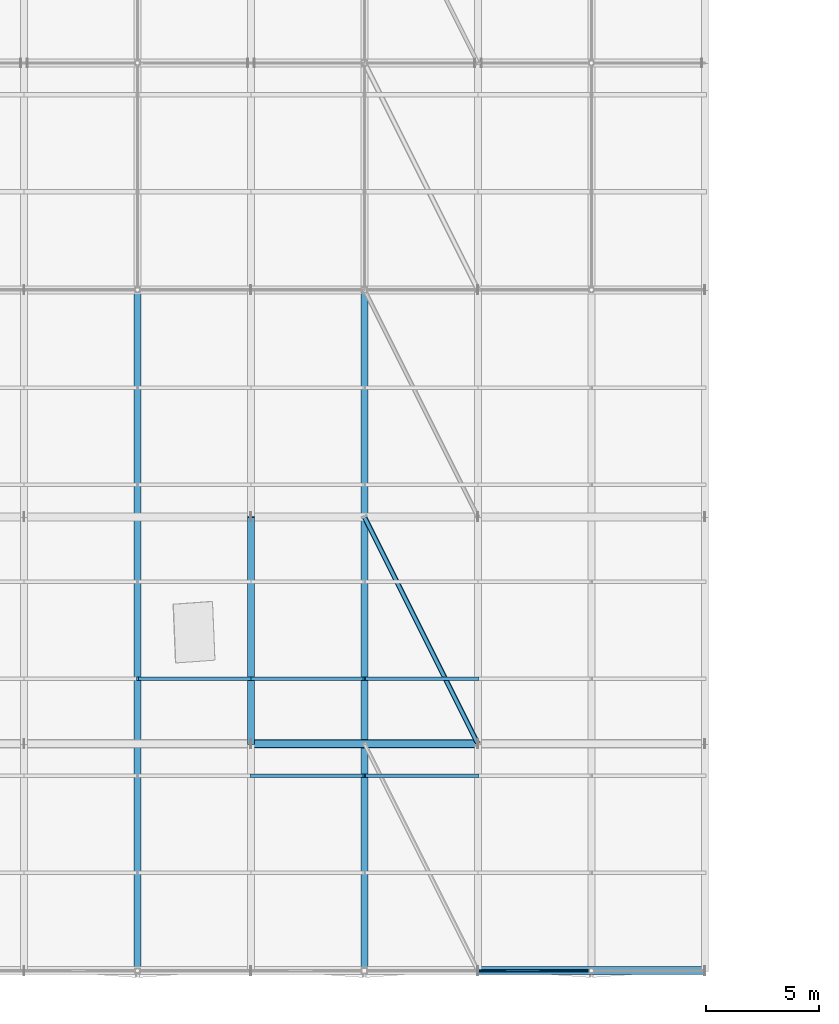
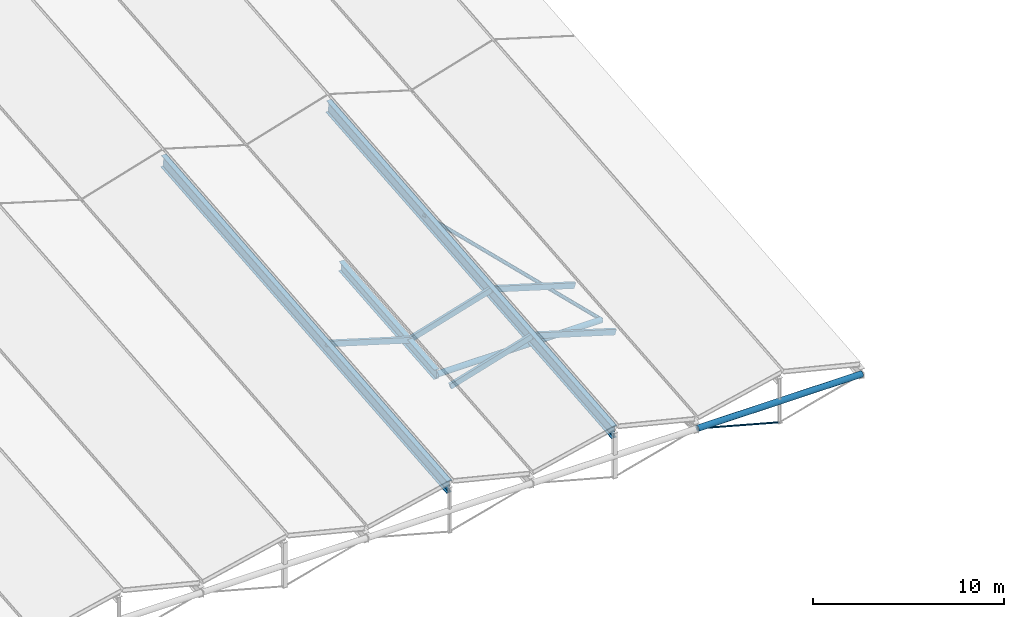
# One storey, part 19 of 90: 7 members, 5 beams.
"""IFC4 building model written with IfcOpenShell, lengths in metres."""

from ifc_helpers import new_model, si_unit, direction, frame, origin, origin_2d, place, context, subcontext, project, spatial, rectangle, circle, hollow_circle, i_section, extrude, material, material_profile, profile_set, type_object, element, save


model = new_model("IFC4")

# Units and contexts
model_context = context("Model", 3, precision=1e-05, world=origin(), true_north=direction((0.0, 1.0)))
body_context = subcontext(model_context, "Body", "Model", "MODEL_VIEW")
ifc_project = project(units=[si_unit("LENGTHUNIT", "METRE"), si_unit("AREAUNIT", "SQUARE_METRE"), si_unit("VOLUMEUNIT", "CUBIC_METRE"), si_unit("PLANEANGLEUNIT", "RADIAN"), si_unit("MASSUNIT", "GRAM", prefix="KILO"), si_unit("THERMODYNAMICTEMPERATUREUNIT", "KELVIN"), si_unit("POWERUNIT", "WATT")], contexts=[model_context])

# Site, building, storey
site_placement = place(None, origin())
site = spatial("IfcSite", under=ifc_project, at=site_placement, CompositionType="ELEMENT")
building_placement = place(site_placement, origin())
building = spatial("IfcBuilding", under=site, at=building_placement, Name="Korenveer Ferry Terminal", CompositionType="ELEMENT")
storey_placement = place(building_placement, frame((0.0, 0.0, 22.199951171875)))
storey = spatial("IfcBuildingStorey", under=building, at=storey_placement, Name="RF", CompositionType="ELEMENT", Elevation=22.199951171875)

# Beams
ifc_material_1 = material(Name="Steel S355", Category="steel")
ifc_material_profile_1 = material_profile(ifc_material_1, i_section(OverallWidth=0.300048828125, OverallDepth=0.64990234375, WebThickness=0.01611328125, FlangeThickness=0.031005859375, FilletRadius=0.027099609375, at=origin_2d()), Name="HEB 650")
ifc_profile_set_1 = profile_set([ifc_material_profile_1], Name="Steel S355")
beam_type_1 = type_object("IfcBeamType", Name="STR-BM-HEB650", PredefinedType="BEAM", material=ifc_profile_set_1)
beam_placement = place(storey_placement, frame((103.0, 30.0, -10.49365234375), z_axis=(0.0, 0.995903364261, 0.090423940715), x_axis=(-1.0, 0.0, 0.0)))
element("IfcBeam", 1, at=beam_placement, inside=storey, type_object=beam_type_1, Name="Folded roof valley girder 44", PredefinedType="BEAM", context=body_context, shape_type="SweptSolid", body=[
    extrude(i_section(OverallWidth=0.300048828125, OverallDepth=0.64990234375, WebThickness=0.01611328125, FlangeThickness=0.031005859375, FilletRadius=0.027099609375, at=origin_2d()), origin(), (0.0, 0.0, 1.0), 10.041015625),
])
ifc_material_profile_2 = material_profile(ifc_material_1, i_section(OverallWidth=0.300048828125, OverallDepth=0.800048828125, WebThickness=0.017578125, FlangeThickness=0.032958984375, FilletRadius=0.030029296875, at=origin_2d()), Name="HEB 800")
ifc_profile_set_2 = profile_set([ifc_material_profile_2], Name="Steel S355")
beam_type_2 = type_object("IfcBeamType", Name="STR-BM-HEB800", PredefinedType="BEAM", material=ifc_profile_set_2)
for number, where, z_axis, x_axis, name in (
    (2, (98.0, 20.0, -9.891845703125), (0.0, 0.995903364261, 0.090423940715), (-1.0, 0.0, 0.0), "Folded roof ridge girder 9"),
    (3, (108.0, 20.0, -9.891845703125), (0.0, 0.995903364261, 0.090423940715), (-1.0, 0.0, 0.0), "Folded roof ridge girder 11"),
):
    element("IfcBeam", number, at=place(storey_placement, frame(where, z_axis=z_axis, x_axis=x_axis)), inside=storey, type_object=beam_type_2, Name=name, PredefinedType="BEAM", context=body_context, shape_type="SweptSolid", body=[
        extrude(i_section(OverallWidth=0.300048828125, OverallDepth=0.800048828125, WebThickness=0.017578125, FlangeThickness=0.032958984375, FilletRadius=0.030029296875, at=origin_2d()), origin(), (0.0, 0.0, 1.0), 30.123291015625),
    ])

# Members
ifc_material_profile_3 = material_profile(ifc_material_1, hollow_circle(Radius=0.109619140625, WallThickness=0.012451171875, at=origin_2d()), Name="CHS 219.1x12.5")
ifc_profile_set_3 = profile_set([ifc_material_profile_3], Name="Steel S355")
member_type_1 = type_object("IfcMemberType", Name="STR-BRC-CHS219", PredefinedType="BRACE", material=ifc_profile_set_3)
member_1_placement = place(storey_placement, frame((113.0, 30.0, -10.49365234375), z_axis=(-0.437110045644, 0.874220091289, 0.211362342872), x_axis=(-0.894427191, -0.4472135955, 0.0)))
element("IfcMember", 4, at=member_1_placement, inside=storey, type_object=member_type_1, Name="Roof wind brace BRCRF-B5-Y30", PredefinedType="BRACE", context=body_context, shape_type="SweptSolid", body=[
    extrude(hollow_circle(Radius=0.109619140625, WallThickness=0.012451171875, at=origin_2d()), origin(), (0.0, 0.0, 1.0), 11.438720703125),
])
ifc_material_2 = material(Name="High-strength steel S460", Category="steel")
ifc_material_profile_4 = material_profile(ifc_material_2, circle(Radius=0.0380859375, at=origin_2d()), Name="ROD D76")
ifc_profile_set_4 = profile_set([ifc_material_profile_4], Name="High-strength steel S460")
member_type_2 = type_object("IfcMemberType", Name="STR-CBL-D76", PredefinedType="USERDEFINED", material=ifc_profile_set_4)
member_2_placement = place(storey_placement, frame((113.0, 20.0, -11.401611328125), z_axis=(0.965424337217, 0.0, -0.260683426993), x_axis=(0.0, 1.0, 0.0)))
element("IfcMember", 5, at=member_2_placement, inside=storey, type_object=member_type_2, Name="Roof tension tie cable 13", ObjectType="CABLE", PredefinedType="USERDEFINED", context=body_context, shape_type="SweptSolid", body=[
    extrude(circle(Radius=0.0380859375, at=origin_2d()), origin(), (0.0, 0.0, 1.0), 5.178955078125),
])
ifc_material_3 = material(Name="Glulam GL28h", Category="wood")
ifc_material_profile_5 = material_profile(ifc_material_3, rectangle(XDim=0.159912109375, YDim=0.360107421875, at=origin_2d()), Name="GL 160x360")
ifc_profile_set_5 = profile_set([ifc_material_profile_5], Name="Glulam GL28h")
member_type_3 = type_object("IfcMemberType", Name="STR-PUR-GL160", PredefinedType="PURLIN", material=ifc_profile_set_5)
for number, where, z_axis, x_axis, name in (
    (6, (98.0, 32.8642578125, -8.50244140625), (0.957310140112, 0.0, -0.289062788401), (0.0, 1.0, 0.0), "Folded roof glulam purlin 153"),
    (7, (103.0, 28.5927734375, -10.400146484375), (0.957310140112, 0.0, 0.289062788401), (0.0, 1.0, 0.0), "Folded roof glulam purlin 182"),
    (8, (103.0, 32.8642578125, -10.01220703125), (0.957310140112, 0.0, 0.289062788401), (0.0, 1.0, 0.0), "Folded roof glulam purlin 183"),
    (9, (108.0, 28.5927734375, -8.890380859375), (0.957310140112, 0.0, -0.289062788401), (0.0, 1.0, 0.0), "Folded roof glulam purlin 188"),
    (10, (108.0, 32.8642578125, -8.50244140625), (0.957310140112, 0.0, -0.289062788401), (0.0, 1.0, 0.0), "Folded roof glulam purlin 189"),
):
    element("IfcMember", number, at=place(storey_placement, frame(where, z_axis=z_axis, x_axis=x_axis)), inside=storey, type_object=member_type_3, Name=name, PredefinedType="PURLIN", context=body_context, shape_type="SweptSolid", body=[
        extrude(rectangle(XDim=0.159912109375, YDim=0.360107421875, at=origin_2d()), origin(), (0.0, 0.0, 1.0), 5.222900390625),
    ])

# Beams
ifc_material_profile_6 = material_profile(ifc_material_1, hollow_circle(Radius=0.177734375, WallThickness=0.01611328125, at=origin_2d()), Name="CHS 355.6x16")
ifc_profile_set_6 = profile_set([ifc_material_profile_6], Name="Steel S355")
beam_type_3 = type_object("IfcBeamType", Name="STR-RFG-CHS355", PredefinedType="USERDEFINED", material=ifc_profile_set_6)
for number, where, z_axis, x_axis, name in (
    (11, (113.02001953125, 20.0, -11.401611328125), (1.0, 0.0, 0.0), (0.0, 1.0, 0.0), "Roof transverse tie girder 81"),
    (12, (103.02001953125, 30.0, -10.49365234375), (1.0, 0.0, 0.0), (0.0, 1.0, 0.0), "Roof transverse tie girder 87"),
):
    element("IfcBeam", number, at=place(storey_placement, frame(where, z_axis=z_axis, x_axis=x_axis)), inside=storey, type_object=beam_type_3, Name=name, ObjectType="ROOF GIRDER", PredefinedType="USERDEFINED", context=body_context, shape_type="SweptSolid", body=[
        extrude(hollow_circle(Radius=0.177734375, WallThickness=0.01611328125, at=origin_2d()), origin(), (0.0, 0.0, 1.0), 9.9599609375),
    ])

save(model, "model.ifc")
